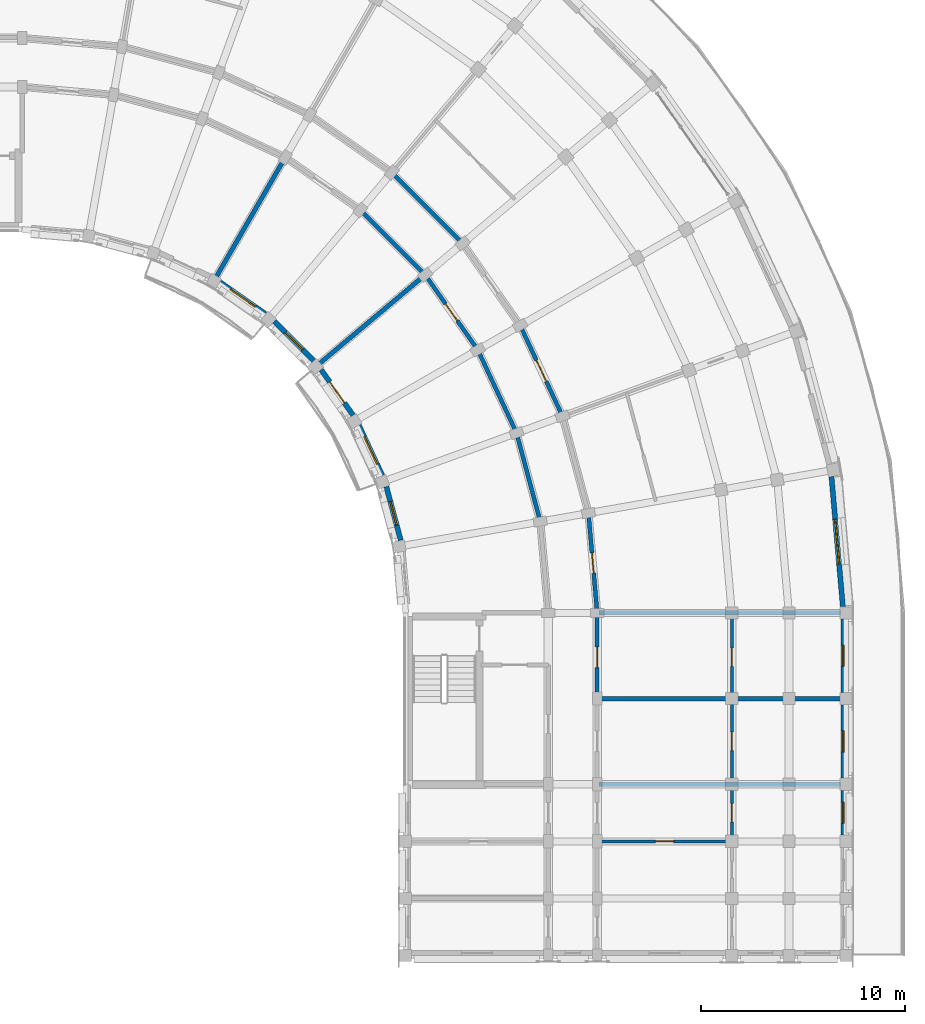
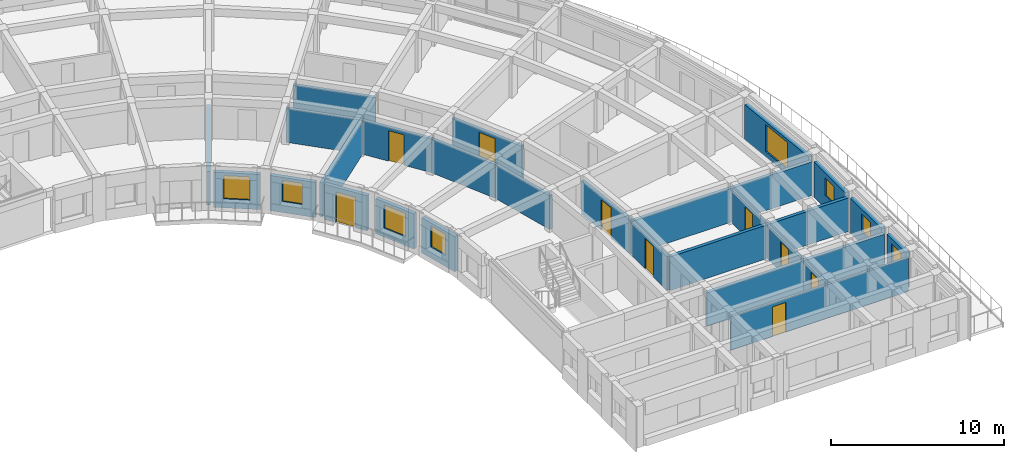
# One storey, part 26 of 41: 26 walls, 9 doors, 8 windows, 17 openings.
"""IFC4 building model written with IfcOpenShell, lengths in metres."""

from ifc_helpers import new_model, si_unit, direction, frame, frame_2d, origin, place, context, subcontext, project, spatial, rectangle, extrude, material, layer, layer_set, type_object, element, fill, save


model = new_model("IFC4")

# Units and contexts
model_context = context("Model", 3, precision=1e-05, world=origin(), true_north=direction((0.0, 1.0)))
body_context = subcontext(model_context, "Body", "Model", "MODEL_VIEW")
ifc_project = project(units=[si_unit("LENGTHUNIT", "METRE"), si_unit("AREAUNIT", "SQUARE_METRE"), si_unit("VOLUMEUNIT", "CUBIC_METRE"), si_unit("PLANEANGLEUNIT", "RADIAN"), si_unit("MASSUNIT", "GRAM", prefix="KILO")], contexts=[model_context])

# Site, building, storey
site_placement = place(None, origin())
site = spatial("IfcSite", under=ifc_project, at=site_placement, CompositionType="ELEMENT")
building_placement = place(site_placement, origin())
building = spatial("IfcBuilding", under=site, at=building_placement, Name="Kiranvali Square Residences", CompositionType="ELEMENT")
storey_placement = place(building_placement, frame((0.0, 0.0, 33.89990234375)))
storey = spatial("IfcBuildingStorey", under=building, at=storey_placement, Name="L10", CompositionType="ELEMENT", Elevation=33.89990234375)

# Walls
ifc_material_1 = material(Name="Autoclaved aerated concrete blockwork masonry", Category="masonry")
ifc_layer_1 = layer(ifc_material_1, 0.199951171875)
ifc_layer_set_1 = layer_set([ifc_layer_1], Name="Autoclaved aerated concrete blockwork masonry")
wall_type_1 = type_object("IfcWallType", Name="WL-COR-200", PredefinedType="STANDARD", material=ifc_layer_set_1)
wall_1_placement = place(storey_placement, frame((136.384033203125, 107.56396484375, 0.0), z_axis=(0.0, 0.0, 1.0), x_axis=(0.707106781187, -0.707106781187, 0.0)))
element("IfcWall", 1, at=wall_1_placement, inside=storey, type_object=wall_type_1, Name="L10 architectural wall WL-L10-B-CCI-4", PredefinedType="STANDARD", context=body_context, shape_type="SweptSolid", body=[
    extrude(rectangle(XDim=4.4970703125, YDim=0.199951171875, at=frame_2d((2.24853515625, 0.0))), origin(), (0.0, 0.0, 1.0), 2.3720703125),
])
wall_2_placement = place(storey_placement, frame((137.926513671875, 109.40234375, 0.0), z_axis=(0.0, 0.0, 1.0), x_axis=(0.707106781187, -0.707106781187, 0.0)))
element("IfcWall", 2, at=wall_2_placement, inside=storey, type_object=wall_type_1, Name="L10 architectural wall WL-L10-B-CCO-4", PredefinedType="STANDARD", context=body_context, shape_type="SweptSolid", body=[
    extrude(rectangle(XDim=4.91552734375, YDim=0.199951171875, at=frame_2d((2.457763671875, 0.0))), origin(), (0.0, 0.0, 1.0), 2.3720703125),
])

# Wall, opening, door
wall_3_placement = place(storey_placement, frame((139.56396484375, 104.384033203125, 0.0), z_axis=(0.0, 0.0, 1.0), x_axis=(0.573571637217, -0.819155404658, 0.0)))
wall_3 = element("IfcWall", 3, at=wall_3_placement, inside=storey, type_object=wall_type_1, Name="L10 architectural wall WL-L10-B-CCI-5", PredefinedType="STANDARD", context=body_context, shape_type="SweptSolid", body=[
    extrude(rectangle(XDim=4.497314453125, YDim=0.199951171875, at=frame_2d((2.24853515625, 0.0))), origin(), (0.0, 0.0, 1.0), 2.3720703125),
])
opening_1_placement = place(wall_3_placement, frame((1.74853515625, 0.0, 0.0)))
opening_1 = element("IfcOpeningElement", 4, at=opening_1_placement, cuts=wall_3, Name="Opening FD-APT-60", PredefinedType="OPENING", context=body_context, shape_type="SweptSolid", body=[
    extrude(rectangle(XDim=1.0, YDim=2.14990234375, at=frame_2d((0.5, 1.074951171875))), frame((0.0, 0.10986328125, 0.0), z_axis=(0.0, -1.0, 0.0), x_axis=(1.0, 0.0, 0.0)), (0.0, 0.0, 1.0), 0.219970703125),
])
ifc_material_2 = material(Name="Fire-rated acoustic hardwood and mineral-core door assembly", Category="wood")
door_type_1 = type_object("IfcDoorType", Name="DR-APT-1000", OperationType="NOTDEFINED", PredefinedType="DOOR", material=ifc_material_2)
door_1_placement = place(opening_1_placement, origin())
door_1 = element("IfcDoor", 5, at=door_1_placement, inside=storey, type_object=door_type_1, Name="L10 door DR-L10-1619 (DR-APT-1000)", OperationType="SINGLE_SWING_LEFT", OverallHeight=2.14990234375, OverallWidth=1.0, PredefinedType="DOOR", context=body_context, shape_type="SweptSolid", body=[
    extrude(rectangle(XDim=1.0, YDim=2.14990234375, at=frame_2d((0.5, 1.074951171875))), frame((0.0, 0.02490234375, 0.0), z_axis=(0.0, -1.0, 0.0), x_axis=(1.0, 0.0, 0.0)), (0.0, 0.0, 1.0), 0.050048828125),
])
fill(opening_1, door_1)

# Wall
wall_4_placement = place(storey_placement, frame((142.1435546875, 100.699951171875, 0.0), z_axis=(0.0, 0.0, 1.0), x_axis=(0.422617978463, -0.906307919131, 0.0)))
element("IfcWall", 6, at=wall_4_placement, inside=storey, type_object=wall_type_1, Name="L10 architectural wall WL-L10-B-CCI-6", PredefinedType="STANDARD", context=body_context, shape_type="SweptSolid", body=[
    extrude(rectangle(XDim=4.497314453125, YDim=0.199951171875, at=frame_2d((2.24853515625, 0.0))), origin(), (0.0, 0.0, 1.0), 2.3720703125),
])

# Wall, opening, door
wall_5_placement = place(storey_placement, frame((144.221923828125, 101.89990234375, 0.0), z_axis=(0.0, 0.0, 1.0), x_axis=(0.422629854778, -0.906302381024, 0.0)))
wall_5 = element("IfcWall", 7, at=wall_5_placement, inside=storey, type_object=wall_type_1, Name="L10 architectural wall WL-L10-B-CCO-6", PredefinedType="STANDARD", context=body_context, shape_type="SweptSolid", body=[
    extrude(rectangle(XDim=4.915283203125, YDim=0.199951171875, at=frame_2d((2.45751953125, 0.0))), origin(), (0.0, 0.0, 1.0), 2.3720703125),
])
opening_2_placement = place(wall_5_placement, frame((1.8876953125, 0.0, 0.0)))
opening_2 = element("IfcOpeningElement", 8, at=opening_2_placement, cuts=wall_5, Name="Opening FD-APT-60D", PredefinedType="OPENING", context=body_context, shape_type="SweptSolid", body=[
    extrude(rectangle(XDim=1.139892578125, YDim=2.14990234375, at=frame_2d((0.56982421875, 1.074951171875))), frame((0.0, 0.10986328125, 0.0), z_axis=(0.0, -1.0, 0.0), x_axis=(1.0, 0.0, 0.0)), (0.0, 0.0, 1.0), 0.219970703125),
])
door_type_2 = type_object("IfcDoorType", Name="DR-APT-1140", OperationType="NOTDEFINED", PredefinedType="DOOR", material=ifc_material_2)
door_2_placement = place(opening_2_placement, frame((1.139892578125, 0.0, 0.0), z_axis=(0.0, 0.0, 1.0), x_axis=(-1.0, 0.0, 0.0)))
door_2 = element("IfcDoor", 9, at=door_2_placement, inside=storey, type_object=door_type_2, Name="L10 door DR-L10-1614 (DR-APT-1140)", OperationType="SINGLE_SWING_RIGHT", OverallHeight=2.14990234375, OverallWidth=1.139892578125, PredefinedType="DOOR", context=body_context, shape_type="SweptSolid", body=[
    extrude(rectangle(XDim=1.139892578125, YDim=2.14990234375, at=frame_2d((0.56982421875, 1.074951171875))), frame((0.0, 0.02490234375, 0.0), z_axis=(0.0, -1.0, 0.0), x_axis=(1.0, 0.0, 0.0)), (0.0, 0.0, 1.0), 0.050048828125),
])
fill(opening_2, door_2)

# Wall
wall_6_placement = place(storey_placement, frame((144.044189453125, 96.6240234375, 0.0), z_axis=(0.0, 0.0, 1.0), x_axis=(0.258787642463, -0.965934240054, 0.0)))
element("IfcWall", 10, at=wall_6_placement, inside=storey, type_object=wall_type_1, Name="L10 architectural wall WL-L10-B-CCI-7", PredefinedType="STANDARD", context=body_context, shape_type="SweptSolid", body=[
    extrude(rectangle(XDim=4.497314453125, YDim=0.199951171875, at=frame_2d((2.24853515625, 0.0))), origin(), (0.0, 0.0, 1.0), 2.3720703125),
])

# Wall, opening, door
wall_7_placement = place(storey_placement, frame((147.571533203125, 92.69677734375, 0.0), z_axis=(0.0, 0.0, 1.0), x_axis=(0.087167566415, -0.996193663584, 0.0)))
wall_7 = element("IfcWall", 11, at=wall_7_placement, inside=storey, type_object=wall_type_1, Name="L10 architectural wall WL-L10-B-CCO-8", PredefinedType="STANDARD", context=body_context, shape_type="SweptSolid", body=[
    extrude(rectangle(XDim=4.91552734375, YDim=0.199951171875, at=frame_2d((2.457763671875, 0.0))), origin(), (0.0, 0.0, 1.0), 2.3720703125),
])
opening_3_placement = place(wall_7_placement, frame((1.957763671875, 0.0, 0.0)))
opening_3 = element("IfcOpeningElement", 12, at=opening_3_placement, cuts=wall_7, Name="Opening FD-APT-60", PredefinedType="OPENING", context=body_context, shape_type="SweptSolid", body=[
    extrude(rectangle(XDim=1.0, YDim=2.14990234375, at=frame_2d((0.5, 1.074951171875))), frame((0.0, 0.10986328125, 0.0), z_axis=(0.0, -1.0, 0.0), x_axis=(1.0, 0.0, 0.0)), (0.0, 0.0, 1.0), 0.219970703125),
])
door_3_placement = place(opening_3_placement, frame((1.0, 0.0, 0.0), z_axis=(0.0, 0.0, 1.0), x_axis=(-1.0, 0.0, 0.0)))
door_3 = element("IfcDoor", 13, at=door_3_placement, inside=storey, type_object=door_type_1, Name="L10 door DR-L10-1616 (DR-APT-1000)", OperationType="SINGLE_SWING_RIGHT", OverallHeight=2.14990234375, OverallWidth=1.0, PredefinedType="DOOR", context=body_context, shape_type="SweptSolid", body=[
    extrude(rectangle(XDim=1.0, YDim=2.14990234375, at=frame_2d((0.5, 1.074951171875))), frame((0.0, 0.02490234375, 0.0), z_axis=(0.0, -1.0, 0.0), x_axis=(1.0, 0.0, 0.0)), (0.0, 0.0, 1.0), 0.050048828125),
])
fill(opening_3, door_3)

wall_8_placement = place(storey_placement, frame((148.0, 87.64990234375, 0.0), z_axis=(0.0, 0.0, 1.0), x_axis=(0.0, -1.0, 0.0)))
wall_8 = element("IfcWall", 14, at=wall_8_placement, inside=storey, type_object=wall_type_1, Name="L10 architectural wall WL-L10-B-A2CF-C0", PredefinedType="STANDARD", context=body_context, shape_type="SweptSolid", body=[
    extrude(rectangle(XDim=4.0498046875, YDim=0.199951171875, at=frame_2d((2.02490234375, 0.0))), origin(), (0.0, 0.0, 1.0), 2.3720703125),
])
opening_4_placement = place(wall_8_placement, frame((1.52490234375, 0.0, 0.0)))
opening_4 = element("IfcOpeningElement", 15, at=opening_4_placement, cuts=wall_8, Name="Opening FD-APT-60", PredefinedType="OPENING", context=body_context, shape_type="SweptSolid", body=[
    extrude(rectangle(XDim=1.0, YDim=2.14990234375, at=frame_2d((0.5, 1.074951171875))), frame((0.0, 0.10986328125, 0.0), z_axis=(0.0, -1.0, 0.0), x_axis=(1.0, 0.0, 0.0)), (0.0, 0.0, 1.0), 0.219970703125),
])
door_4_placement = place(opening_4_placement, frame((1.0, 0.0, 0.0), z_axis=(0.0, 0.0, 1.0), x_axis=(-1.0, 0.0, 0.0)))
door_4 = element("IfcDoor", 16, at=door_4_placement, inside=storey, type_object=door_type_1, Name="L10 door DR-L10-1620 (DR-APT-1000)", OperationType="SINGLE_SWING_RIGHT", OverallHeight=2.14990234375, OverallWidth=1.0, PredefinedType="DOOR", context=body_context, shape_type="SweptSolid", body=[
    extrude(rectangle(XDim=1.0, YDim=2.14990234375, at=frame_2d((0.5, 1.074951171875))), frame((0.0, 0.02490234375, 0.0), z_axis=(0.0, -1.0, 0.0), x_axis=(1.0, 0.0, 0.0)), (0.0, 0.0, 1.0), 0.050048828125),
])
fill(opening_4, door_4)

# Walls
ifc_layer_2 = layer(ifc_material_1, 0.219970703125)
ifc_layer_set_2 = layer_set([ifc_layer_2], Name="Autoclaved aerated concrete blockwork masonry")
wall_type_2 = type_object("IfcWallType", Name="WL-DEM-220", PredefinedType="STANDARD", material=ifc_layer_set_2)
for number, where, z_axis, x_axis, name in (
    (17, (129.300048828125, 104.25439453125, 0.0), (0.0, 0.0, 1.0), (0.499997969693, 0.866026575979, 0.0), "L10 architectural wall WL-L10-B-RADI-3"),
    (18, (134.354736328125, 100.012939453125, 0.0), (0.0, 0.0, 1.0), (0.766046761698, 0.642784846501, 0.0), "L10 architectural wall WL-L10-B-RADI-5"),
):
    element("IfcWall", number, at=place(storey_placement, frame(where, z_axis=z_axis, x_axis=x_axis)), inside=storey, type_object=wall_type_2, Name=name, PredefinedType="STANDARD", context=body_context, shape_type="SweptSolid", body=[
        extrude(rectangle(XDim=6.75, YDim=0.219970703125, at=frame_2d((3.375, 0.0))), origin(), (0.0, 0.0, 1.0), 2.3720703125),
    ])
wall_9_placement = place(storey_placement, frame((148.10009765625, 87.800048828125, 0.0), z_axis=(0.0, 0.0, 1.0), x_axis=(1.0, 0.0, 0.0)))
element("IfcWall", 19, at=wall_9_placement, inside=storey, type_object=wall_type_2, Name="L10 architectural wall WL-L10-B-RADO-9", PredefinedType="STANDARD", context=body_context, shape_type="SweptSolid", body=[
    extrude(rectangle(XDim=11.81982421875, YDim=0.219970703125, at=frame_2d((5.909912109375, 0.0))), origin(), (0.0, 0.0, 1.0), 2.3720703125),
])
wall_10_placement = place(storey_placement, frame((148.050048828125, 83.60009765625, 0.0), z_axis=(0.0, 0.0, 1.0), x_axis=(1.0, 0.0, 0.0)))
element("IfcWall", 20, at=wall_10_placement, inside=storey, type_object=wall_type_2, Name="L10 architectural wall WL-L10-B-A2CF-MID", PredefinedType="STANDARD", context=body_context, shape_type="SweptSolid", body=[
    extrude(rectangle(XDim=11.929931640625, YDim=0.219970703125, at=frame_2d((5.96484375, 0.0))), origin(), (0.0, 0.0, 1.0), 2.3720703125),
])
wall_11_placement = place(storey_placement, frame((148.10009765625, 79.39990234375, 0.0), z_axis=(0.0, 0.0, 1.0), x_axis=(1.0, 0.0, 0.0)))
element("IfcWall", 21, at=wall_11_placement, inside=storey, type_object=wall_type_2, Name="L10 architectural wall WL-L10-B-A2TO-0", PredefinedType="STANDARD", context=body_context, shape_type="SweptSolid", body=[
    extrude(rectangle(XDim=11.81982421875, YDim=0.219970703125, at=frame_2d((5.909912109375, 0.0))), origin(), (0.0, 0.0, 1.0), 2.3720703125),
])

# Wall, opening, window
ifc_material_3 = material(Name="Breathable lime-rendered clay brick masonry", Category="masonry")
ifc_layer_3 = layer(ifc_material_3, 0.25)
ifc_layer_set_3 = layer_set([ifc_layer_3], Name="Breathable lime-rendered clay brick masonry")
wall_type_3 = type_object("IfcWallType", Name="WL-EXT-250", PredefinedType="STANDARD", material=ifc_layer_set_3)
wall_12_placement = place(storey_placement, frame((159.489990234375, 94.47998046875, 0.0), z_axis=(0.0, 0.0, 1.0), x_axis=(0.087176902101, -0.996192846662, 0.0)))
wall_12 = element("IfcWall", 22, at=wall_12_placement, inside=storey, type_object=wall_type_3, Name="L10 exterior wall B-L10-CRV-08", PredefinedType="STANDARD", context=body_context, shape_type="SweptSolid", body=[
    extrude(rectangle(XDim=6.390869140625, YDim=0.25, at=frame_2d((3.1953125, 0.0))), origin(), (0.0, 0.0, 1.0), 2.47998046875),
])
opening_5_placement = place(wall_12_placement, frame((2.095458984375, 0.0, 0.3798828125)))
opening_5 = element("IfcOpeningElement", 23, at=opening_5_placement, cuts=wall_12, Name="Opening W-20", PredefinedType="OPENING", context=body_context, shape_type="SweptSolid", body=[
    extrude(rectangle(XDim=2.199951171875, YDim=1.89990234375, at=frame_2d((1.10009765625, 0.949951171875))), frame((0.0, 0.135009765625, 0.0), z_axis=(0.0, -1.0, 0.0), x_axis=(1.0, 0.0, 0.0)), (0.0, 0.0, 1.0), 0.27001953125),
])
ifc_material_4 = material(Name="Solar-control low-e double glazing", Category="glass")
window_type_1 = type_object("IfcWindowType", Name="WIN-TER-2200x1900", PartitioningType="TRIPLE_PANEL_VERTICAL", PredefinedType="WINDOW", material=ifc_material_4)
window_1_placement = place(opening_5_placement, origin())
window_1 = element("IfcWindow", 24, at=window_1_placement, inside=storey, type_object=window_type_1, Name="L10 recessed window B-L10-CRV-08", OverallHeight=1.89990234375, OverallWidth=2.199951171875, PartitioningType="TRIPLE_PANEL_VERTICAL", PredefinedType="WINDOW", context=body_context, shape_type="SweptSolid", body=[
    extrude(rectangle(XDim=2.199951171875, YDim=1.89990234375, at=frame_2d((1.10009765625, 0.949951171875))), frame((0.0, 0.030029296875, 0.0), z_axis=(0.0, -1.0, 0.0), x_axis=(1.0, 0.0, 0.0)), (0.0, 0.0, 1.0), 0.06005859375),
])
fill(opening_5, window_1)

wall_13_placement = place(storey_placement, frame((129.5, 104.02392578125, 0.0), z_axis=(0.0, 0.0, 1.0), x_axis=(0.819126475299, -0.573612950921, 0.0)))
wall_13 = element("IfcWall", 25, at=wall_13_placement, inside=storey, type_object=wall_type_3, Name="L10 exterior wall B-L10-GDN-03", PredefinedType="STANDARD", context=body_context, shape_type="SweptSolid", body=[
    extrude(rectangle(XDim=2.7197265625, YDim=0.25, at=frame_2d((1.35986328125, 0.0))), origin(), (0.0, 0.0, 1.0), 2.47216796875),
])
opening_6_placement = place(wall_13_placement, frame((0.60986328125, 0.0, 0.6220703125)))
opening_6 = element("IfcOpeningElement", 26, at=opening_6_placement, cuts=wall_13, Name="Opening W-05", PredefinedType="OPENING", context=body_context, shape_type="SweptSolid", body=[
    extrude(rectangle(XDim=1.5, YDim=1.64990234375, at=frame_2d((0.75, 0.824951171875))), frame((0.0, 0.135009765625, 0.0), z_axis=(0.0, -1.0, 0.0), x_axis=(1.0, 0.0, 0.0)), (0.0, 0.0, 1.0), 0.27001953125),
])
window_type_2 = type_object("IfcWindowType", Name="WIN-RES-1500x1650", PartitioningType="DOUBLE_PANEL_VERTICAL", PredefinedType="WINDOW", material=ifc_material_4)
window_2_placement = place(opening_6_placement, origin())
window_2 = element("IfcWindow", 27, at=window_2_placement, inside=storey, type_object=window_type_2, Name="L10 recessed window B-L10-GDN-03", OverallHeight=1.64990234375, OverallWidth=1.5, PartitioningType="DOUBLE_PANEL_VERTICAL", PredefinedType="WINDOW", context=body_context, shape_type="SweptSolid", body=[
    extrude(rectangle(XDim=1.5, YDim=1.64990234375, at=frame_2d((0.75, 0.824951171875))), frame((0.0, 0.030029296875, 0.0), z_axis=(0.0, -1.0, 0.0), x_axis=(1.0, 0.0, 0.0)), (0.0, 0.0, 1.0), 0.06005859375),
])
fill(opening_6, window_2)

wall_14_placement = place(storey_placement, frame((132.169921875, 102.093017578125, 0.0), z_axis=(0.0, 0.0, 1.0), x_axis=(0.707106781187, -0.707106781187, 0.0)))
wall_14 = element("IfcWall", 28, at=wall_14_placement, inside=storey, type_object=wall_type_3, Name="L10 exterior wall B-L10-GDN-04", PredefinedType="STANDARD", context=body_context, shape_type="SweptSolid", body=[
    extrude(rectangle(XDim=2.7197265625, YDim=0.25, at=frame_2d((1.35986328125, 0.0))), origin(), (0.0, 0.0, 1.0), 2.47216796875),
])
opening_7_placement = place(wall_14_placement, frame((0.759765625, 0.0, 0.77197265625)))
opening_7 = element("IfcOpeningElement", 29, at=opening_7_placement, cuts=wall_14, Name="Opening W-06", PredefinedType="OPENING", context=body_context, shape_type="SweptSolid", body=[
    extrude(rectangle(XDim=1.199951171875, YDim=1.5, at=frame_2d((0.60009765625, 0.75))), frame((0.0, 0.135009765625, 0.0), z_axis=(0.0, -1.0, 0.0), x_axis=(1.0, 0.0, 0.0)), (0.0, 0.0, 1.0), 0.27001953125),
])
window_type_3 = type_object("IfcWindowType", Name="WIN-RES-1200x1500", PartitioningType="SINGLE_PANEL", PredefinedType="WINDOW", material=ifc_material_4)
window_3_placement = place(opening_7_placement, origin())
window_3 = element("IfcWindow", 30, at=window_3_placement, inside=storey, type_object=window_type_3, Name="L10 recessed window B-L10-GDN-04", OverallHeight=1.5, OverallWidth=1.199951171875, PartitioningType="SINGLE_PANEL", PredefinedType="WINDOW", context=body_context, shape_type="SweptSolid", body=[
    extrude(rectangle(XDim=1.199951171875, YDim=1.5, at=frame_2d((0.60009765625, 0.75))), frame((0.0, 0.030029296875, 0.0), z_axis=(0.0, -1.0, 0.0), x_axis=(1.0, 0.0, 0.0)), (0.0, 0.0, 1.0), 0.06005859375),
])
fill(opening_7, window_3)

# Wall, opening, door
wall_15_placement = place(storey_placement, frame((134.4638671875, 99.727783203125, 0.0), z_axis=(0.0, 0.0, 1.0), x_axis=(0.573612950921, -0.819126475299, 0.0)))
wall_15 = element("IfcWall", 31, at=wall_15_placement, inside=storey, type_object=wall_type_3, Name="L10 exterior wall B-L10-GDN-05", PredefinedType="STANDARD", context=body_context, shape_type="SweptSolid", body=[
    extrude(rectangle(XDim=2.7197265625, YDim=0.25, at=frame_2d((1.35986328125, 0.0))), origin(), (0.0, 0.0, 1.0), 2.47216796875),
])
opening_8_placement = place(wall_15_placement, frame((0.72998046875, 0.0, 0.0)))
opening_8 = element("IfcOpeningElement", 32, at=opening_8_placement, cuts=wall_15, Name="Opening ED-BAL-2", PredefinedType="OPENING", context=body_context, shape_type="SweptSolid", body=[
    extrude(rectangle(XDim=1.260009765625, YDim=2.14990234375, at=frame_2d((0.6298828125, 1.074951171875))), frame((0.0, 0.135009765625, 0.0), z_axis=(0.0, -1.0, 0.0), x_axis=(1.0, 0.0, 0.0)), (0.0, 0.0, 1.0), 0.27001953125),
])
ifc_material_5 = material(Name="Anodised bronze aluminium framing", Category="aluminium")
door_type_3 = type_object("IfcDoorType", Name="DR-BAL-1260", OperationType="NOTDEFINED", PredefinedType="DOOR", material=ifc_material_5)
door_5_placement = place(opening_8_placement, frame((1.260009765625, 0.0, 0.0), z_axis=(0.0, 0.0, 1.0), x_axis=(-1.0, 0.0, 0.0)))
door_5 = element("IfcDoor", 33, at=door_5_placement, inside=storey, type_object=door_type_3, Name="L10 balcony terrace door", OperationType="SINGLE_SWING_RIGHT", OverallHeight=2.14990234375, OverallWidth=1.260009765625, PredefinedType="DOOR", context=body_context, shape_type="SweptSolid", body=[
    extrude(rectangle(XDim=1.260009765625, YDim=2.14990234375, at=frame_2d((0.6298828125, 1.074951171875))), frame((0.0, 0.02490234375, 0.0), z_axis=(0.0, -1.0, 0.0), x_axis=(1.0, 0.0, 0.0)), (0.0, 0.0, 1.0), 0.050048828125),
])
fill(opening_8, door_5)

# Wall, opening, window
wall_16_placement = place(storey_placement, frame((136.312255859375, 97.000244140625, 0.0), z_axis=(0.0, 0.0, 1.0), x_axis=(0.422629903269, -0.906302358412, 0.0)))
wall_16 = element("IfcWall", 34, at=wall_16_placement, inside=storey, type_object=wall_type_3, Name="L10 exterior wall B-L10-GDN-06", PredefinedType="STANDARD", context=body_context, shape_type="SweptSolid", body=[
    extrude(rectangle(XDim=2.7197265625, YDim=0.25, at=frame_2d((1.35986328125, 0.0))), origin(), (0.0, 0.0, 1.0), 2.47216796875),
])
opening_9_placement = place(wall_16_placement, frame((0.60986328125, 0.0, 0.6220703125)))
opening_9 = element("IfcOpeningElement", 35, at=opening_9_placement, cuts=wall_16, Name="Opening W-05", PredefinedType="OPENING", context=body_context, shape_type="SweptSolid", body=[
    extrude(rectangle(XDim=1.5, YDim=1.64990234375, at=frame_2d((0.75, 0.824951171875))), frame((0.0, 0.135009765625, 0.0), z_axis=(0.0, -1.0, 0.0), x_axis=(1.0, 0.0, 0.0)), (0.0, 0.0, 1.0), 0.27001953125),
])
window_4_placement = place(opening_9_placement, origin())
window_4 = element("IfcWindow", 36, at=window_4_placement, inside=storey, type_object=window_type_2, Name="L10 recessed window B-L10-GDN-06", OverallHeight=1.64990234375, OverallWidth=1.5, PartitioningType="DOUBLE_PANEL_VERTICAL", PredefinedType="WINDOW", context=body_context, shape_type="SweptSolid", body=[
    extrude(rectangle(XDim=1.5, YDim=1.64990234375, at=frame_2d((0.75, 0.824951171875))), frame((0.0, 0.030029296875, 0.0), z_axis=(0.0, -1.0, 0.0), x_axis=(1.0, 0.0, 0.0)), (0.0, 0.0, 1.0), 0.06005859375),
])
fill(opening_9, window_4)

wall_17_placement = place(storey_placement, frame((137.6591796875, 93.9931640625, 0.0), z_axis=(0.0, 0.0, 1.0), x_axis=(0.258807879411, -0.965928818058, 0.0)))
wall_17 = element("IfcWall", 37, at=wall_17_placement, inside=storey, type_object=wall_type_3, Name="L10 exterior wall B-L10-GDN-07", PredefinedType="STANDARD", context=body_context, shape_type="SweptSolid", body=[
    extrude(rectangle(XDim=2.7197265625, YDim=0.25, at=frame_2d((1.35986328125, 0.0))), origin(), (0.0, 0.0, 1.0), 2.47216796875),
])
opening_10_placement = place(wall_17_placement, frame((0.759765625, 0.0, 0.77197265625)))
opening_10 = element("IfcOpeningElement", 38, at=opening_10_placement, cuts=wall_17, Name="Opening W-06", PredefinedType="OPENING", context=body_context, shape_type="SweptSolid", body=[
    extrude(rectangle(XDim=1.199951171875, YDim=1.5, at=frame_2d((0.60009765625, 0.75))), frame((0.0, 0.135009765625, 0.0), z_axis=(0.0, -1.0, 0.0), x_axis=(1.0, 0.0, 0.0)), (0.0, 0.0, 1.0), 0.27001953125),
])
window_5_placement = place(opening_10_placement, origin())
window_5 = element("IfcWindow", 39, at=window_5_placement, inside=storey, type_object=window_type_3, Name="L10 recessed window B-L10-GDN-07", OverallHeight=1.5, OverallWidth=1.199951171875, PartitioningType="SINGLE_PANEL", PredefinedType="WINDOW", context=body_context, shape_type="SweptSolid", body=[
    extrude(rectangle(XDim=1.199951171875, YDim=1.5, at=frame_2d((0.60009765625, 0.75))), frame((0.0, 0.030029296875, 0.0), z_axis=(0.0, -1.0, 0.0), x_axis=(1.0, 0.0, 0.0)), (0.0, 0.0, 1.0), 0.06005859375),
])
fill(opening_10, window_5)

wall_18_placement = place(storey_placement, frame((160.074951171875, 87.49658203125, 0.0), z_axis=(0.0, 0.0, 1.0), x_axis=(0.0, -1.0, 0.0)))
wall_18 = element("IfcWall", 40, at=wall_18_placement, inside=storey, type_object=wall_type_3, Name="L10 exterior wall B-L10-A2O-0", PredefinedType="STANDARD", context=body_context, shape_type="SweptSolid", body=[
    extrude(rectangle(XDim=3.593017578125, YDim=0.25, at=frame_2d((1.79638671875, 0.0))), origin(), (0.0, 0.0, 1.0), 2.47998046875),
])
opening_11_placement = place(wall_18_placement, frame((1.271484375, 0.0, 0.8798828125)))
opening_11 = element("IfcOpeningElement", 41, at=opening_11_placement, cuts=wall_18, Name="Opening W-24", PredefinedType="OPENING", context=body_context, shape_type="SweptSolid", body=[
    extrude(rectangle(XDim=1.050048828125, YDim=1.25, at=frame_2d((0.52490234375, 0.625))), frame((0.0, 0.135009765625, 0.0), z_axis=(0.0, -1.0, 0.0), x_axis=(1.0, 0.0, 0.0)), (0.0, 0.0, 1.0), 0.27001953125),
])
window_type_4 = type_object("IfcWindowType", Name="WIN-COR-1050x1250", PartitioningType="SINGLE_PANEL", PredefinedType="WINDOW", material=ifc_material_4)
window_6_placement = place(opening_11_placement, origin())
window_6 = element("IfcWindow", 42, at=window_6_placement, inside=storey, type_object=window_type_4, Name="L10 recessed window B-L10-A2O-0", OverallHeight=1.25, OverallWidth=1.050048828125, PartitioningType="SINGLE_PANEL", PredefinedType="WINDOW", context=body_context, shape_type="SweptSolid", body=[
    extrude(rectangle(XDim=1.050048828125, YDim=1.25, at=frame_2d((0.52490234375, 0.625))), frame((0.0, 0.030029296875, 0.0), z_axis=(0.0, -1.0, 0.0), x_axis=(1.0, 0.0, 0.0)), (0.0, 0.0, 1.0), 0.06005859375),
])
fill(opening_11, window_6)

wall_19_placement = place(storey_placement, frame((160.074951171875, 83.29638671875, 0.0), z_axis=(0.0, 0.0, 1.0), x_axis=(0.0, -1.0, 0.0)))
wall_19 = element("IfcWall", 43, at=wall_19_placement, inside=storey, type_object=wall_type_3, Name="L10 exterior wall B-L10-A2O-1", PredefinedType="STANDARD", context=body_context, shape_type="SweptSolid", body=[
    extrude(rectangle(XDim=3.5927734375, YDim=0.25, at=frame_2d((1.79638671875, 0.0))), origin(), (0.0, 0.0, 1.0), 2.47998046875),
])
opening_12_placement = place(wall_19_placement, frame((1.271484375, 0.0, 0.8798828125)))
opening_12 = element("IfcOpeningElement", 44, at=opening_12_placement, cuts=wall_19, Name="Opening W-24", PredefinedType="OPENING", context=body_context, shape_type="SweptSolid", body=[
    extrude(rectangle(XDim=1.050048828125, YDim=1.25, at=frame_2d((0.52490234375, 0.625))), frame((0.0, 0.135009765625, 0.0), z_axis=(0.0, -1.0, 0.0), x_axis=(1.0, 0.0, 0.0)), (0.0, 0.0, 1.0), 0.27001953125),
])
window_7_placement = place(opening_12_placement, origin())
window_7 = element("IfcWindow", 45, at=window_7_placement, inside=storey, type_object=window_type_4, Name="L10 recessed window B-L10-A2O-1", OverallHeight=1.25, OverallWidth=1.050048828125, PartitioningType="SINGLE_PANEL", PredefinedType="WINDOW", context=body_context, shape_type="SweptSolid", body=[
    extrude(rectangle(XDim=1.050048828125, YDim=1.25, at=frame_2d((0.52490234375, 0.625))), frame((0.0, 0.030029296875, 0.0), z_axis=(0.0, -1.0, 0.0), x_axis=(1.0, 0.0, 0.0)), (0.0, 0.0, 1.0), 0.06005859375),
])
fill(opening_12, window_7)

wall_20_placement = place(storey_placement, frame((160.074951171875, 79.096435546875, 0.0), z_axis=(0.0, 0.0, 1.0), x_axis=(0.0, -1.0, 0.0)))
wall_20 = element("IfcWall", 46, at=wall_20_placement, inside=storey, type_object=wall_type_3, Name="L10 exterior wall B-L10-A2O-2", PredefinedType="STANDARD", context=body_context, shape_type="SweptSolid", body=[
    extrude(rectangle(XDim=2.19287109375, YDim=0.25, at=frame_2d((1.096435546875, 0.0))), origin(), (0.0, 0.0, 1.0), 2.47998046875),
])
opening_13_placement = place(wall_20_placement, frame((0.571533203125, 0.0, 0.8798828125)))
opening_13 = element("IfcOpeningElement", 47, at=opening_13_placement, cuts=wall_20, Name="Opening W-24", PredefinedType="OPENING", context=body_context, shape_type="SweptSolid", body=[
    extrude(rectangle(XDim=1.050048828125, YDim=1.25, at=frame_2d((0.52490234375, 0.625))), frame((0.0, 0.135009765625, 0.0), z_axis=(0.0, -1.0, 0.0), x_axis=(1.0, 0.0, 0.0)), (0.0, 0.0, 1.0), 0.27001953125),
])
window_8_placement = place(opening_13_placement, origin())
window_8 = element("IfcWindow", 48, at=window_8_placement, inside=storey, type_object=window_type_4, Name="L10 recessed window B-L10-A2O-2", OverallHeight=1.25, OverallWidth=1.050048828125, PartitioningType="SINGLE_PANEL", PredefinedType="WINDOW", context=body_context, shape_type="SweptSolid", body=[
    extrude(rectangle(XDim=1.050048828125, YDim=1.25, at=frame_2d((0.52490234375, 0.625))), frame((0.0, 0.030029296875, 0.0), z_axis=(0.0, -1.0, 0.0), x_axis=(1.0, 0.0, 0.0)), (0.0, 0.0, 1.0), 0.06005859375),
])
fill(opening_13, window_8)

# Wall, opening, door
ifc_material_6 = material(Name="Acoustic gypsum board drylined partition", Category="gypsum")
ifc_layer_4 = layer(ifc_material_6, 0.14990234375)
ifc_layer_set_4 = layer_set([ifc_layer_4], Name="Acoustic gypsum board drylined partition")
wall_type_4 = type_object("IfcWallType", Name="WL-PRT-150", PredefinedType="PARTITIONING", material=ifc_layer_set_4)
wall_21_placement = place(storey_placement, frame((154.60009765625, 87.570068359375, 0.0), z_axis=(0.0, 0.0, 1.0), x_axis=(0.0, -1.0, 0.0)))
wall_21 = element("IfcWall", 49, at=wall_21_placement, inside=storey, type_object=wall_type_4, Name="L10 architectural wall WL-L10-B-A2CF-SP0", PredefinedType="PARTITIONING", context=body_context, shape_type="SweptSolid", body=[
    extrude(rectangle(XDim=3.89013671875, YDim=0.14990234375, at=frame_2d((1.945068359375, 0.0))), origin(), (0.0, 0.0, 1.0), 2.3720703125),
])
opening_14_placement = place(wall_21_placement, frame((1.4951171875, 0.0, 0.0)))
opening_14 = element("IfcOpeningElement", 50, at=opening_14_placement, cuts=wall_21, Name="Opening ID-1", PredefinedType="OPENING", context=body_context, shape_type="SweptSolid", body=[
    extrude(rectangle(XDim=0.89990234375, YDim=2.10009765625, at=frame_2d((0.449951171875, 1.050048828125))), frame((0.0, 0.0849609375, 0.0), z_axis=(0.0, -1.0, 0.0), x_axis=(1.0, 0.0, 0.0)), (0.0, 0.0, 1.0), 0.169921875),
])
ifc_material_7 = material(Name="Solid seasoned teak hardwood joinery", Category="wood")
door_type_4 = type_object("IfcDoorType", Name="DR-INT-900", OperationType="NOTDEFINED", PredefinedType="DOOR", material=ifc_material_7)
door_6_placement = place(opening_14_placement, origin())
door_6 = element("IfcDoor", 51, at=door_6_placement, inside=storey, type_object=door_type_4, Name="L10 door DR-L10-1621 (DR-INT-900)", OperationType="SINGLE_SWING_LEFT", OverallHeight=2.10009765625, OverallWidth=0.89990234375, PredefinedType="DOOR", context=body_context, shape_type="SweptSolid", body=[
    extrude(rectangle(XDim=0.89990234375, YDim=2.10009765625, at=frame_2d((0.449951171875, 1.050048828125))), frame((0.0, 0.02490234375, 0.0), z_axis=(0.0, -1.0, 0.0), x_axis=(1.0, 0.0, 0.0)), (0.0, 0.0, 1.0), 0.050048828125),
])
fill(opening_14, door_6)

wall_22_placement = place(storey_placement, frame((154.60009765625, 83.52001953125, 0.0), z_axis=(0.0, 0.0, 1.0), x_axis=(0.0, -1.0, 0.0)))
wall_22 = element("IfcWall", 52, at=wall_22_placement, inside=storey, type_object=wall_type_4, Name="L10 architectural wall WL-L10-B-A2CF-SP1", PredefinedType="PARTITIONING", context=body_context, shape_type="SweptSolid", body=[
    extrude(rectangle(XDim=4.0400390625, YDim=0.14990234375, at=frame_2d((2.02001953125, 0.0))), origin(), (0.0, 0.0, 1.0), 2.3720703125),
])
opening_15_placement = place(wall_22_placement, frame((1.570068359375, 0.0, 0.0)))
opening_15 = element("IfcOpeningElement", 53, at=opening_15_placement, cuts=wall_22, Name="Opening ID-1", PredefinedType="OPENING", context=body_context, shape_type="SweptSolid", body=[
    extrude(rectangle(XDim=0.89990234375, YDim=2.10009765625, at=frame_2d((0.449951171875, 1.050048828125))), frame((0.0, 0.0849609375, 0.0), z_axis=(0.0, -1.0, 0.0), x_axis=(1.0, 0.0, 0.0)), (0.0, 0.0, 1.0), 0.169921875),
])
door_7_placement = place(opening_15_placement, origin())
door_7 = element("IfcDoor", 54, at=door_7_placement, inside=storey, type_object=door_type_4, Name="L10 door DR-L10-1623 (DR-INT-900)", OperationType="SINGLE_SWING_LEFT", OverallHeight=2.10009765625, OverallWidth=0.89990234375, PredefinedType="DOOR", context=body_context, shape_type="SweptSolid", body=[
    extrude(rectangle(XDim=0.89990234375, YDim=2.10009765625, at=frame_2d((0.449951171875, 1.050048828125))), frame((0.0, 0.02490234375, 0.0), z_axis=(0.0, -1.0, 0.0), x_axis=(1.0, 0.0, 0.0)), (0.0, 0.0, 1.0), 0.050048828125),
])
fill(opening_15, door_7)

wall_23_placement = place(storey_placement, frame((148.10009765625, 76.60009765625, 0.0), z_axis=(0.0, 0.0, 1.0), x_axis=(1.0, 0.0, 0.0)))
wall_23 = element("IfcWall", 55, at=wall_23_placement, inside=storey, type_object=wall_type_4, Name="L10 architectural wall WL-L10-B-A2TO-1", PredefinedType="PARTITIONING", context=body_context, shape_type="SweptSolid", body=[
    extrude(rectangle(XDim=11.81982421875, YDim=0.14990234375, at=frame_2d((5.909912109375, 0.0))), origin(), (0.0, 0.0, 1.0), 2.3720703125),
])
opening_16_placement = place(wall_23_placement, frame((2.749755859375, 0.0, 0.0)))
opening_16 = element("IfcOpeningElement", 56, at=opening_16_placement, cuts=wall_23, Name="Opening ID-1", PredefinedType="OPENING", context=body_context, shape_type="SweptSolid", body=[
    extrude(rectangle(XDim=0.89990234375, YDim=2.10009765625, at=frame_2d((0.449951171875, 1.050048828125))), frame((0.0, 0.0849609375, 0.0), z_axis=(0.0, -1.0, 0.0), x_axis=(1.0, 0.0, 0.0)), (0.0, 0.0, 1.0), 0.169921875),
])
door_8_placement = place(opening_16_placement, origin())
door_8 = element("IfcDoor", 57, at=door_8_placement, inside=storey, type_object=door_type_4, Name="L10 door DR-L10-1629 (DR-INT-900)", OperationType="SINGLE_SWING_LEFT", OverallHeight=2.10009765625, OverallWidth=0.89990234375, PredefinedType="DOOR", context=body_context, shape_type="SweptSolid", body=[
    extrude(rectangle(XDim=0.89990234375, YDim=2.10009765625, at=frame_2d((0.449951171875, 1.050048828125))), frame((0.0, 0.02490234375, 0.0), z_axis=(0.0, -1.0, 0.0), x_axis=(1.0, 0.0, 0.0)), (0.0, 0.0, 1.0), 0.050048828125),
])
fill(opening_16, door_8)

ifc_layer_5 = layer(ifc_material_1, 0.14990234375)
ifc_layer_set_5 = layer_set([ifc_layer_5], Name="Autoclaved aerated concrete blockwork masonry")
wall_type_5 = type_object("IfcWallType", Name="WL-WET-150", PredefinedType="PLUMBINGWALL", material=ifc_layer_set_5)
wall_24_placement = place(storey_placement, frame((154.60009765625, 79.320068359375, 0.0), z_axis=(0.0, 0.0, 1.0), x_axis=(0.0, -1.0, 0.0)))
wall_24 = element("IfcWall", 58, at=wall_24_placement, inside=storey, type_object=wall_type_5, Name="L10 architectural wall WL-L10-B-A2SP-0", PredefinedType="PLUMBINGWALL", context=body_context, shape_type="SweptSolid", body=[
    extrude(rectangle(XDim=2.64013671875, YDim=0.14990234375, at=frame_2d((1.320068359375, 0.0))), origin(), (0.0, 0.0, 1.0), 2.3720703125),
])
opening_17_placement = place(wall_24_placement, frame((0.8701171875, 0.0, 0.0)))
opening_17 = element("IfcOpeningElement", 59, at=opening_17_placement, cuts=wall_24, Name="Opening ID-1", PredefinedType="OPENING", context=body_context, shape_type="SweptSolid", body=[
    extrude(rectangle(XDim=0.89990234375, YDim=2.10009765625, at=frame_2d((0.449951171875, 1.050048828125))), frame((0.0, 0.0849609375, 0.0), z_axis=(0.0, -1.0, 0.0), x_axis=(1.0, 0.0, 0.0)), (0.0, 0.0, 1.0), 0.169921875),
])
door_9_placement = place(opening_17_placement, origin())
door_9 = element("IfcDoor", 60, at=door_9_placement, inside=storey, type_object=door_type_4, Name="L10 door DR-L10-1625 (DR-INT-900)", OperationType="SINGLE_SWING_LEFT", OverallHeight=2.10009765625, OverallWidth=0.89990234375, PredefinedType="DOOR", context=body_context, shape_type="SweptSolid", body=[
    extrude(rectangle(XDim=0.89990234375, YDim=2.10009765625, at=frame_2d((0.449951171875, 1.050048828125))), frame((0.0, 0.02490234375, 0.0), z_axis=(0.0, -1.0, 0.0), x_axis=(1.0, 0.0, 0.0)), (0.0, 0.0, 1.0), 0.050048828125),
])
fill(opening_17, door_9)

save(model, "model.ifc")
